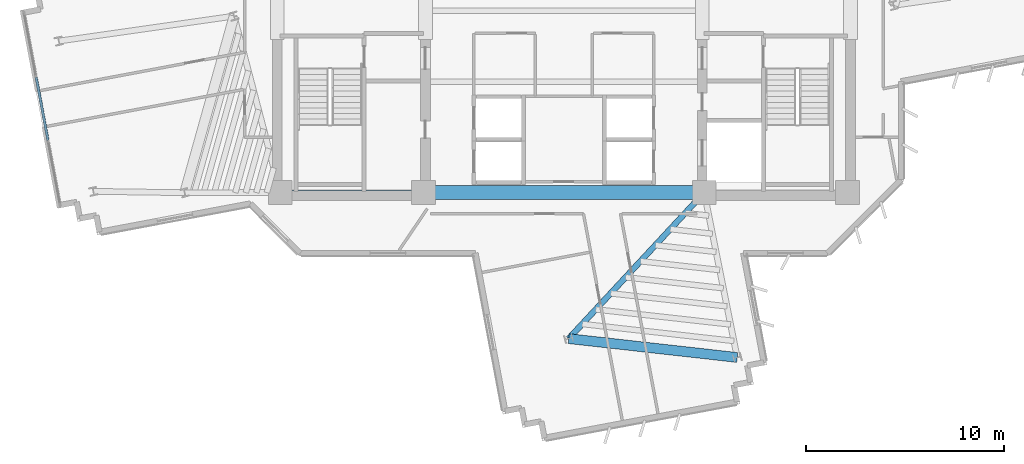
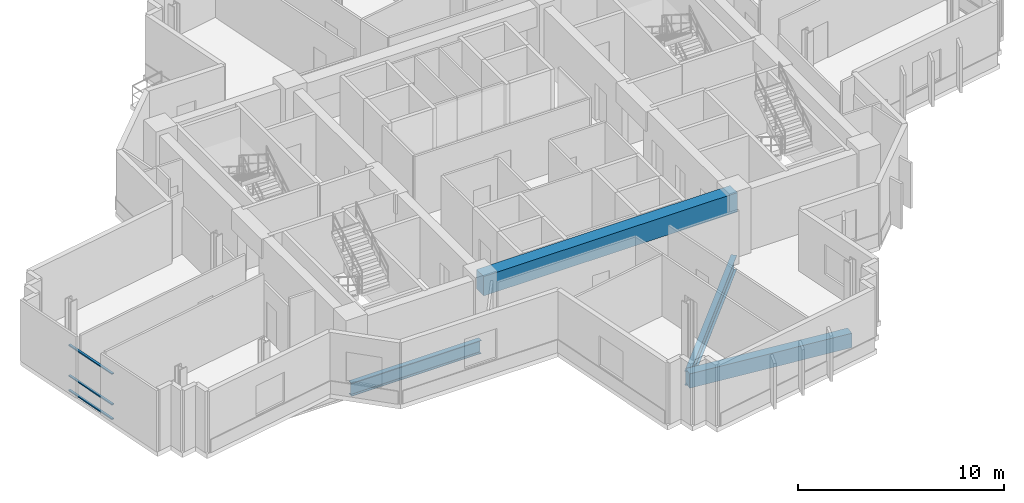
# One storey, part 3 of 16: 4 beams, 3 members, 1 element without a shape of its own.
"""IFC4 building model written with IfcOpenShell, lengths in metres."""

from ifc_helpers import new_model, si_unit, direction, frame, origin, origin_2d, place, context, subcontext, project, spatial, rectangle, i_section, extrude, source, transform, mapped, material, layer, layer_set, material_profile, profile_set, type_object, element, aggregate, save


model = new_model("IFC4")

# Units and contexts
model_context = context("Model", 3, precision=1e-05, world=origin(), true_north=direction((0.0, 1.0)))
body_context = subcontext(model_context, "Body", "Model", "MODEL_VIEW")
ifc_project = project(units=[si_unit("LENGTHUNIT", "METRE"), si_unit("AREAUNIT", "SQUARE_METRE"), si_unit("VOLUMEUNIT", "CUBIC_METRE"), si_unit("PLANEANGLEUNIT", "RADIAN"), si_unit("MASSUNIT", "GRAM", prefix="KILO")], contexts=[model_context])

# Site, building, storey
site_placement = place(None, origin())
site = spatial("IfcSite", under=ifc_project, at=site_placement, CompositionType="ELEMENT")
building_placement = place(site_placement, origin())
building = spatial("IfcBuilding", under=site, at=building_placement, Name="Zahravan Cultural Tower", CompositionType="ELEMENT")
storey_placement = place(building_placement, frame((0.0, 0.0, 151.199951171875)))
storey = spatial("IfcBuildingStorey", under=building, at=storey_placement, Name="L34", CompositionType="ELEMENT", Elevation=151.199951171875)

# Beams
ifc_material_1 = material(Name="Concrete C50/60", Category="concrete")
ifc_material_profile_1 = material_profile(ifc_material_1, rectangle(XDim=0.699951171875, YDim=1.14990234375, at=origin_2d()), Name="RC700X1150")
ifc_profile_set_1 = profile_set([ifc_material_profile_1], Name="Concrete C50/60")
beam_type_1 = type_object("IfcBeamType", Name="BM-LN-RC700X1150", PredefinedType="LINTEL", material=ifc_profile_set_1)
shared_shape_1 = source(origin(), body_context, "Body", "SweptSolid", [
    extrude(rectangle(XDim=0.699951171875, YDim=1.14990234375, at=origin_2d()), origin(), (0.0, 0.0, 1.0), 14.2001953125),
])
beam_1_placement = place(storey_placement, frame((28.89990234375, 17.800048828125, 3.045166015625), z_axis=(1.0, 0.0, 0.0), x_axis=(0.0, 1.0, 0.0)))
element("IfcBeam", 1, at=beam_1_placement, inside=storey, type_object=beam_type_1, Name="L34 Beam LN-L34-S", PredefinedType="LINTEL", context=body_context, shape_type="MappedRepresentation", body=[
    mapped(shared_shape_1, transform((0.0, 0.0, 0.0), x_axis=(1.0, 0.0, 0.0), y_axis=(0.0, 1.0, 0.0), z_axis=(0.0, 0.0, 1.0), scale=1.0)),
])
ifc_material_2 = material(Name="Steel ASTM A992 Grade 50", Category="steel")
ifc_material_profile_2 = material_profile(ifc_material_2, i_section(OverallWidth=0.26611328125, OverallDepth=0.780029296875, WebThickness=0.0166015625, FlangeThickness=0.030029296875, FilletRadius=0.01904296875, at=origin_2d()), Name="W30X148")
ifc_profile_set_2 = profile_set([ifc_material_profile_2], Name="Steel ASTM A992 Grade 50")
beam_type_2 = type_object("IfcBeamType", Name="BM-G-W30X148", PredefinedType="BEAM", material=ifc_profile_set_2)
shared_shape_2 = source(origin(), body_context, "Body", "SweptSolid", [
    extrude(i_section(OverallWidth=0.26611328125, OverallDepth=0.780029296875, WebThickness=0.0166015625, FlangeThickness=0.030029296875, FilletRadius=0.01904296875, at=origin_2d()), origin(), (0.0, 0.0, 1.0), 7.25),
])
beam_2_placement = place(storey_placement, frame((21.64990234375, 17.800048828125, -0.669921875), z_axis=(1.0, 0.0, 0.0), x_axis=(0.0, 1.0, 0.0)))
element("IfcBeam", 2, at=beam_2_placement, inside=storey, type_object=beam_type_2, Name="L34 Beam BG-L34-01", PredefinedType="BEAM", context=body_context, shape_type="MappedRepresentation", body=[
    mapped(shared_shape_2, transform((0.0, 0.0, 0.0), x_axis=(1.0, 0.0, 0.0), y_axis=(0.0, 1.0, 0.0), z_axis=(0.0, 0.0, 1.0), scale=1.0)),
])
ifc_material_profile_3 = material_profile(ifc_material_1, rectangle(XDim=0.5, YDim=0.85009765625, at=origin_2d()), Name="RC500X850")
ifc_profile_set_3 = profile_set([ifc_material_profile_3], Name="Concrete C50/60")
beam_type_3 = type_object("IfcBeamType", Name="BM-SP-RC500X850", PredefinedType="SPANDREL", material=ifc_profile_set_3)
shared_shape_3 = source(origin(), body_context, "Body", "SweptSolid", [
    extrude(rectangle(XDim=0.5, YDim=0.85009765625, at=origin_2d()), origin(), (0.0, 0.0, 1.0), 8.579833984375),
])
beam_3_placement = place(storey_placement, frame((36.245361328125, 10.412353515625, -0.704833984375), z_axis=(0.9938040105, -0.11114669907, 0.0), x_axis=(0.11114669907, 0.9938040105, 0.0)))
element("IfcBeam", 3, at=beam_3_placement, inside=storey, type_object=beam_type_3, Name="L34 Beam SP-L34-20", PredefinedType="SPANDREL", context=body_context, shape_type="MappedRepresentation", body=[
    mapped(shared_shape_3, transform((0.0, 0.0, 0.0), x_axis=(1.0, 0.0, 0.0), y_axis=(0.0, 1.0, 0.0), z_axis=(0.0, 0.0, 1.0), scale=1.0)),
])
ifc_material_profile_4 = material_profile(ifc_material_2, i_section(OverallWidth=0.29296875, OverallDepth=0.845947265625, WebThickness=0.015380859375, FlangeThickness=0.0244140625, FilletRadius=0.02001953125, at=origin_2d()), Name="W33X141")
ifc_profile_set_4 = profile_set([ifc_material_profile_4], Name="Steel ASTM A992 Grade 50")
beam_type_4 = type_object("IfcBeamType", Name="BM-G-W33X141", PredefinedType="BEAM", material=ifc_profile_set_4)
shared_shape_4 = source(origin(), body_context, "Body", "SweptSolid", [
    extrude(i_section(OverallWidth=0.29296875, OverallDepth=0.845947265625, WebThickness=0.015380859375, FlangeThickness=0.0244140625, FilletRadius=0.02001953125, at=origin_2d()), origin(), (0.0, 0.0, 1.0), 10.077880859375),
])
beam_4_placement = place(storey_placement, frame((43.10009765625, 17.800048828125, -0.702880859375), z_axis=(-0.680170435587, -0.733054007938, 0.0), x_axis=(0.733054007938, -0.680170435587, 0.0)))
element("IfcBeam", 4, at=beam_4_placement, inside=storey, type_object=beam_type_4, Name="L34 Beam BG-L34-09", PredefinedType="BEAM", context=body_context, shape_type="MappedRepresentation", body=[
    mapped(shared_shape_4, transform((0.0, 0.0, 0.0), x_axis=(1.0, 0.0, 0.0), y_axis=(0.0, 1.0, 0.0), z_axis=(0.0, 0.0, 1.0), scale=1.0)),
])

# Curtain wall, members
ifc_material_3 = material(Name="Anodised bronze-aluminium mullion", Category="aluminium")
ifc_layer = layer(ifc_material_3, 0.1650390625)
ifc_layer_set = layer_set([ifc_layer], Name="Anodised bronze-aluminium mullion")
curtain_wall_type = type_object("IfcCurtainWallType", Name="CW-SYS-4", PredefinedType="USERDEFINED", material=ifc_layer_set)
curtain_wall_placement = place(storey_placement, origin())
curtain_wall = element("IfcCurtainWall", 5, at=curtain_wall_placement, inside=storey, type_object=curtain_wall_type, Name="L34 Recessed Curtain Wall CW-4.2", ObjectType="RECESSED GLAZING", PredefinedType="USERDEFINED")
ifc_material_profile_5 = material_profile(ifc_material_3, rectangle(XDim=0.1298828125, YDim=0.06494140625, at=origin_2d()), Name="AL-T65X130")
ifc_profile_set_5 = profile_set([ifc_material_profile_5], Name="Anodised bronze-aluminium mullion")
member_type = type_object("IfcMemberType", Name="CWT-CW-4", PredefinedType="USERDEFINED", material=ifc_profile_set_5)
shared_shape_5 = source(origin(), body_context, "Body", "SweptSolid", [
    extrude(rectangle(XDim=0.1298828125, YDim=0.06494140625, at=origin_2d()), origin(), (0.0, 0.0, 1.0), 3.241455078125),
])
member_1_placement = place(storey_placement, frame((9.901123046875, 20.44775390625, 0.032470703125), z_axis=(-0.184675048649, 0.982799636959, 0.0), x_axis=(-0.982799636959, -0.184675048649, 0.0)))
member_1 = element("IfcMember", 6, at=member_1_placement, type_object=member_type, Name="CW-4 transom 2.1", ObjectType="TRANSOM", PredefinedType="USERDEFINED", context=body_context, shape_type="MappedRepresentation", body=[
    mapped(shared_shape_5, transform((0.0, 0.0, 0.0), x_axis=(1.0, 0.0, 0.0), y_axis=(0.0, 1.0, 0.0), z_axis=(0.0, 0.0, 1.0), scale=1.0)),
])
member_2_placement = place(storey_placement, frame((9.901123046875, 20.44775390625, 0.900146484375), z_axis=(-0.184675048649, 0.982799636959, 0.0), x_axis=(-0.982799636959, -0.184675048649, 0.0)))
member_2 = element("IfcMember", 7, at=member_2_placement, type_object=member_type, Name="CW-4 transom 2.2", ObjectType="TRANSOM", PredefinedType="USERDEFINED", context=body_context, shape_type="MappedRepresentation", body=[
    mapped(shared_shape_5, transform((0.0, 0.0, 0.0), x_axis=(1.0, 0.0, 0.0), y_axis=(0.0, 1.0, 0.0), z_axis=(0.0, 0.0, 1.0), scale=1.0)),
])
member_3_placement = place(storey_placement, frame((9.901123046875, 20.44775390625, 2.70751953125), z_axis=(-0.184675048649, 0.982799636959, 0.0), x_axis=(-0.982799636959, -0.184675048649, 0.0)))
member_3 = element("IfcMember", 8, at=member_3_placement, type_object=member_type, Name="CW-4 transom 2.3", ObjectType="TRANSOM", PredefinedType="USERDEFINED", context=body_context, shape_type="MappedRepresentation", body=[
    mapped(shared_shape_5, transform((0.0, 0.0, 0.0), x_axis=(1.0, 0.0, 0.0), y_axis=(0.0, 1.0, 0.0), z_axis=(0.0, 0.0, 1.0), scale=1.0)),
])
aggregate(curtain_wall, [member_1, member_2, member_3])

save(model, "model.ifc")
